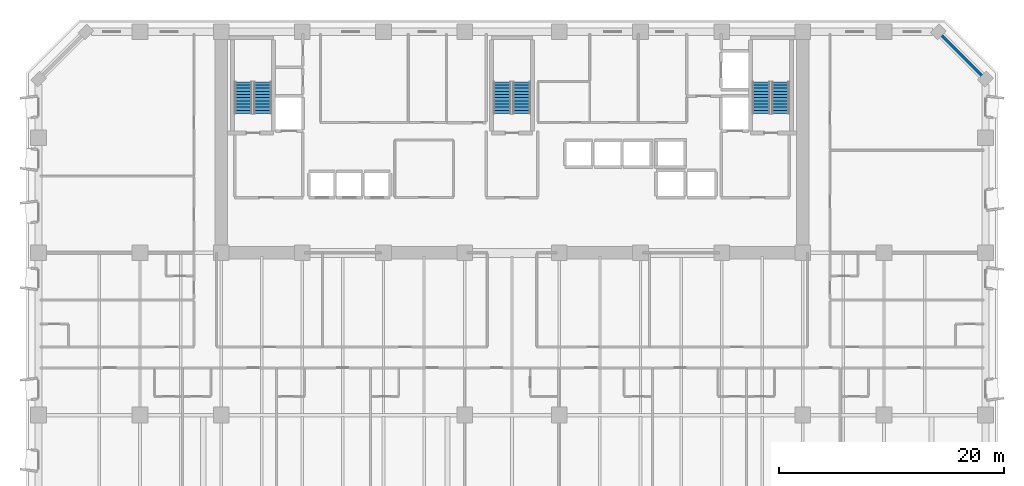
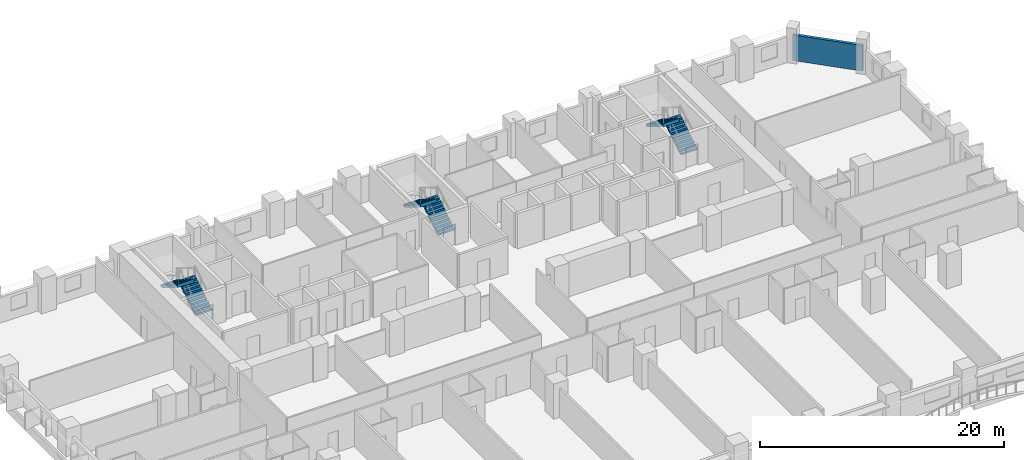
# One storey, part 11 of 15: 6 stair flights, 1 wall, 3 elements without a shape of their own.
"""IFC4 building model written with IfcOpenShell, lengths in metres."""

from ifc_helpers import new_model, si_unit, direction, frame, frame_2d, origin, place, context, subcontext, project, spatial, polyline, rectangle, outline, extrude, material, layer, layer_set, type_object, element, aggregate, save


model = new_model("IFC4")

# Units and contexts
model_context = context("Model", 3, precision=1e-05, world=origin(), true_north=direction((0.0, 1.0)))
body_context = subcontext(model_context, "Body", "Model", "MODEL_VIEW")
ifc_project = project(units=[si_unit("LENGTHUNIT", "METRE"), si_unit("AREAUNIT", "SQUARE_METRE"), si_unit("VOLUMEUNIT", "CUBIC_METRE"), si_unit("PLANEANGLEUNIT", "RADIAN"), si_unit("MASSUNIT", "GRAM", prefix="KILO")], contexts=[model_context])

# Site, building, storey
site_placement = place(None, origin())
site = spatial("IfcSite", under=ifc_project, at=site_placement, CompositionType="ELEMENT")
building_placement = place(site_placement, origin())
building = spatial("IfcBuilding", under=site, at=building_placement, Name="Kaelvorn Grand Hotel", CompositionType="ELEMENT")
storey_placement = place(building_placement, frame((0.0, 0.0, 72.64990234375)))
storey = spatial("IfcBuildingStorey", under=building, at=storey_placement, Name="L16", CompositionType="ELEMENT", Elevation=72.64990234375)

# Wall
ifc_material = material(Name="Concrete C40/50", Category="concrete")
ifc_layer = layer(ifc_material, 0.260009765625)
ifc_layer_set = layer_set([ifc_layer], Name="Concrete C40/50")
wall_type = type_object("IfcWallType", Name="WL-EXT-260-C40", PredefinedType="SOLIDWALL", material=ifc_layer_set)
wall_placement = place(storey_placement, frame((84.0, 44.800048828125, 0.0), z_axis=(0.0, 0.0, 1.0), x_axis=(-0.707106781187, 0.707106781187, 0.0)))
element("IfcWall", 1, at=wall_placement, inside=storey, type_object=wall_type, Name="L16 Exterior Architectural Concrete Wall 04", PredefinedType="SOLIDWALL", context=body_context, shape_type="SweptSolid", body=[
    extrude(rectangle(XDim=5.939697265625, YDim=0.260009765625, at=frame_2d((2.9697265625, 0.0))), origin(), (0.0, 0.0, 1.0), 2.56005859375),
])

# Stair, stair flights
stair_type = type_object("IfcStairType", Name="STR-DOG-1560-R06", PredefinedType="HALF_TURN_STAIR", material=ifc_material)
stair_1_placement = place(storey_placement, origin())
stair_1 = element("IfcStair", 2, at=stair_1_placement, inside=storey, type_object=stair_type, Name="L16 West Core Exit Stair ST1", PredefinedType="HALF_TURN_STAIR")
stair_flight_type = type_object("IfcStairFlightType", Name="FLG-DOG-1560-R06", PredefinedType="STRAIGHT", material=ifc_material)
stair_flight_1_placement = place(storey_placement, frame((19.89990234375, 41.760009765625, 0.0), z_axis=(0.0, 0.0, 1.0), x_axis=(0.0, 1.0, 0.0)))
stair_flight_1 = element("IfcStairFlight", 3, at=stair_flight_1_placement, type_object=stair_flight_type, Name="ST1 flight 1", NumberOfRisers=11, NumberOfTreads=10, PredefinedType="STRAIGHT", RiserHeight=0.170454545, TreadLength=0.28, context=body_context, shape_type="SweptSolid", body=[
    extrude(outline(polyline([(-0.0048828125, 0.0), (-0.0048828125, 0.0400390625), (0.0, 0.17041015625), (0.280029296875, 0.17041015625), (0.280029296875, 0.3408203125), (0.56005859375, 0.3408203125), (0.56005859375, 0.511474609375), (0.840087890625, 0.511474609375), (0.840087890625, 0.681884765625), (1.1201171875, 0.681884765625), (1.1201171875, 0.852294921875), (1.39990234375, 0.852294921875), (1.39990234375, 1.022705078125), (1.679931640625, 1.022705078125), (1.679931640625, 1.193115234375), (1.9599609375, 1.193115234375), (1.9599609375, 1.363525390625), (2.239990234375, 1.363525390625), (2.239990234375, 1.5341796875), (2.52001953125, 1.5341796875), (2.52001953125, 1.70458984375), (2.800048828125, 1.70458984375), (2.800048828125, 1.875), (2.804931640625, 1.875), (2.804931640625, 1.529052734375), (0.288330078125, 0.0), (-0.0048828125, 0.0)])), frame((0.0, 0.780029296875, 0.0), z_axis=(0.0, -1.0, 0.0), x_axis=(1.0, 0.0, 0.0)), (0.0, 0.0, 1.0), 1.56005859375),
])
stair_flight_2_placement = place(storey_placement, frame((18.179931640625, 44.56005859375, 1.875), z_axis=(0.0, 0.0, 1.0), x_axis=(0.0, -1.0, 0.0)))
stair_flight_2 = element("IfcStairFlight", 4, at=stair_flight_2_placement, type_object=stair_flight_type, Name="ST1 flight 2", NumberOfRisers=11, NumberOfTreads=10, PredefinedType="STRAIGHT", RiserHeight=0.170454545, TreadLength=0.28, context=body_context, shape_type="SweptSolid", body=[
    extrude(outline(polyline([(-0.0048828125, 0.0), (-0.0048828125, 0.0400390625), (0.0, 0.17041015625), (0.280029296875, 0.17041015625), (0.280029296875, 0.3408203125), (0.56005859375, 0.3408203125), (0.56005859375, 0.511474609375), (0.840087890625, 0.511474609375), (0.840087890625, 0.681884765625), (1.1201171875, 0.681884765625), (1.1201171875, 0.852294921875), (1.39990234375, 0.852294921875), (1.39990234375, 1.022705078125), (1.679931640625, 1.022705078125), (1.679931640625, 1.193115234375), (1.9599609375, 1.193115234375), (1.9599609375, 1.363525390625), (2.239990234375, 1.363525390625), (2.239990234375, 1.5341796875), (2.52001953125, 1.5341796875), (2.52001953125, 1.70458984375), (2.800048828125, 1.70458984375), (2.800048828125, 1.875), (2.804931640625, 1.875), (2.804931640625, 1.529052734375), (0.288330078125, 0.0), (-0.0048828125, 0.0)])), frame((0.0, 0.780029296875, 0.0), z_axis=(0.0, -1.0, 0.0), x_axis=(1.0, 0.0, 0.0)), (0.0, 0.0, 1.0), 1.56005859375),
])
aggregate(stair_1, [stair_flight_1, stair_flight_2])

stair_2_placement = place(storey_placement, origin())
stair_2 = element("IfcStair", 5, at=stair_2_placement, inside=storey, type_object=stair_type, Name="L16 Central Core Exit Stair ST2", PredefinedType="HALF_TURN_STAIR")
stair_flight_3_placement = place(storey_placement, frame((42.860107421875, 41.760009765625, 0.0), z_axis=(0.0, 0.0, 1.0), x_axis=(0.0, 1.0, 0.0)))
stair_flight_3 = element("IfcStairFlight", 6, at=stair_flight_3_placement, type_object=stair_flight_type, Name="ST2 flight 1", NumberOfRisers=11, NumberOfTreads=10, PredefinedType="STRAIGHT", RiserHeight=0.170454545, TreadLength=0.28, context=body_context, shape_type="SweptSolid", body=[
    extrude(outline(polyline([(-0.0048828125, 0.0), (-0.0048828125, 0.0400390625), (0.0, 0.17041015625), (0.280029296875, 0.17041015625), (0.280029296875, 0.3408203125), (0.56005859375, 0.3408203125), (0.56005859375, 0.511474609375), (0.840087890625, 0.511474609375), (0.840087890625, 0.681884765625), (1.1201171875, 0.681884765625), (1.1201171875, 0.852294921875), (1.39990234375, 0.852294921875), (1.39990234375, 1.022705078125), (1.679931640625, 1.022705078125), (1.679931640625, 1.193115234375), (1.9599609375, 1.193115234375), (1.9599609375, 1.363525390625), (2.239990234375, 1.363525390625), (2.239990234375, 1.5341796875), (2.52001953125, 1.5341796875), (2.52001953125, 1.70458984375), (2.800048828125, 1.70458984375), (2.800048828125, 1.875), (2.804931640625, 1.875), (2.804931640625, 1.529052734375), (0.288330078125, 0.0), (-0.0048828125, 0.0)])), frame((0.0, 0.780029296875, 0.0), z_axis=(0.0, -1.0, 0.0), x_axis=(1.0, 0.0, 0.0)), (0.0, 0.0, 1.0), 1.56005859375),
])
stair_flight_4_placement = place(storey_placement, frame((41.139892578125, 44.56005859375, 1.875), z_axis=(0.0, 0.0, 1.0), x_axis=(0.0, -1.0, 0.0)))
stair_flight_4 = element("IfcStairFlight", 7, at=stair_flight_4_placement, type_object=stair_flight_type, Name="ST2 flight 2", NumberOfRisers=11, NumberOfTreads=10, PredefinedType="STRAIGHT", RiserHeight=0.170454545, TreadLength=0.28, context=body_context, shape_type="SweptSolid", body=[
    extrude(outline(polyline([(-0.0048828125, 0.0), (-0.0048828125, 0.0400390625), (0.0, 0.17041015625), (0.280029296875, 0.17041015625), (0.280029296875, 0.3408203125), (0.56005859375, 0.3408203125), (0.56005859375, 0.511474609375), (0.840087890625, 0.511474609375), (0.840087890625, 0.681884765625), (1.1201171875, 0.681884765625), (1.1201171875, 0.852294921875), (1.39990234375, 0.852294921875), (1.39990234375, 1.022705078125), (1.679931640625, 1.022705078125), (1.679931640625, 1.193115234375), (1.9599609375, 1.193115234375), (1.9599609375, 1.363525390625), (2.239990234375, 1.363525390625), (2.239990234375, 1.5341796875), (2.52001953125, 1.5341796875), (2.52001953125, 1.70458984375), (2.800048828125, 1.70458984375), (2.800048828125, 1.875), (2.804931640625, 1.875), (2.804931640625, 1.529052734375), (0.288330078125, 0.0), (-0.0048828125, 0.0)])), frame((0.0, 0.780029296875, 0.0), z_axis=(0.0, -1.0, 0.0), x_axis=(1.0, 0.0, 0.0)), (0.0, 0.0, 1.0), 1.56005859375),
])
aggregate(stair_2, [stair_flight_3, stair_flight_4])

stair_3_placement = place(storey_placement, origin())
stair_3 = element("IfcStair", 8, at=stair_3_placement, inside=storey, type_object=stair_type, Name="L16 East Core Exit Stair ST3", PredefinedType="HALF_TURN_STAIR")
stair_flight_5_placement = place(storey_placement, frame((65.820068359375, 41.760009765625, 0.0), z_axis=(0.0, 0.0, 1.0), x_axis=(0.0, 1.0, 0.0)))
stair_flight_5 = element("IfcStairFlight", 9, at=stair_flight_5_placement, type_object=stair_flight_type, Name="ST3 flight 1", NumberOfRisers=11, NumberOfTreads=10, PredefinedType="STRAIGHT", RiserHeight=0.170454545, TreadLength=0.28, context=body_context, shape_type="SweptSolid", body=[
    extrude(outline(polyline([(-0.0048828125, 0.0), (-0.0048828125, 0.0400390625), (0.0, 0.17041015625), (0.280029296875, 0.17041015625), (0.280029296875, 0.3408203125), (0.56005859375, 0.3408203125), (0.56005859375, 0.511474609375), (0.840087890625, 0.511474609375), (0.840087890625, 0.681884765625), (1.1201171875, 0.681884765625), (1.1201171875, 0.852294921875), (1.39990234375, 0.852294921875), (1.39990234375, 1.022705078125), (1.679931640625, 1.022705078125), (1.679931640625, 1.193115234375), (1.9599609375, 1.193115234375), (1.9599609375, 1.363525390625), (2.239990234375, 1.363525390625), (2.239990234375, 1.5341796875), (2.52001953125, 1.5341796875), (2.52001953125, 1.70458984375), (2.800048828125, 1.70458984375), (2.800048828125, 1.875), (2.804931640625, 1.875), (2.804931640625, 1.529052734375), (0.288330078125, 0.0), (-0.0048828125, 0.0)])), frame((0.0, 0.780029296875, 0.0), z_axis=(0.0, -1.0, 0.0), x_axis=(1.0, 0.0, 0.0)), (0.0, 0.0, 1.0), 1.56005859375),
])
stair_flight_6_placement = place(storey_placement, frame((64.10009765625, 44.56005859375, 1.875), z_axis=(0.0, 0.0, 1.0), x_axis=(0.0, -1.0, 0.0)))
stair_flight_6 = element("IfcStairFlight", 10, at=stair_flight_6_placement, type_object=stair_flight_type, Name="ST3 flight 2", NumberOfRisers=11, NumberOfTreads=10, PredefinedType="STRAIGHT", RiserHeight=0.170454545, TreadLength=0.28, context=body_context, shape_type="SweptSolid", body=[
    extrude(outline(polyline([(-0.0048828125, 0.0), (-0.0048828125, 0.0400390625), (0.0, 0.17041015625), (0.280029296875, 0.17041015625), (0.280029296875, 0.3408203125), (0.56005859375, 0.3408203125), (0.56005859375, 0.511474609375), (0.840087890625, 0.511474609375), (0.840087890625, 0.681884765625), (1.1201171875, 0.681884765625), (1.1201171875, 0.852294921875), (1.39990234375, 0.852294921875), (1.39990234375, 1.022705078125), (1.679931640625, 1.022705078125), (1.679931640625, 1.193115234375), (1.9599609375, 1.193115234375), (1.9599609375, 1.363525390625), (2.239990234375, 1.363525390625), (2.239990234375, 1.5341796875), (2.52001953125, 1.5341796875), (2.52001953125, 1.70458984375), (2.800048828125, 1.70458984375), (2.800048828125, 1.875), (2.804931640625, 1.875), (2.804931640625, 1.529052734375), (0.288330078125, 0.0), (-0.0048828125, 0.0)])), frame((0.0, 0.780029296875, 0.0), z_axis=(0.0, -1.0, 0.0), x_axis=(1.0, 0.0, 0.0)), (0.0, 0.0, 1.0), 1.56005859375),
])
aggregate(stair_3, [stair_flight_5, stair_flight_6])

save(model, "model.ifc")
